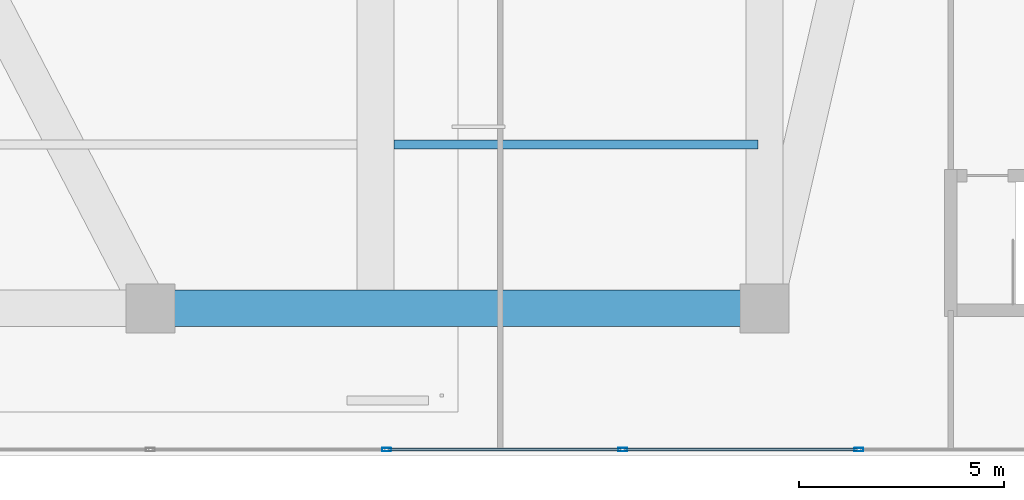
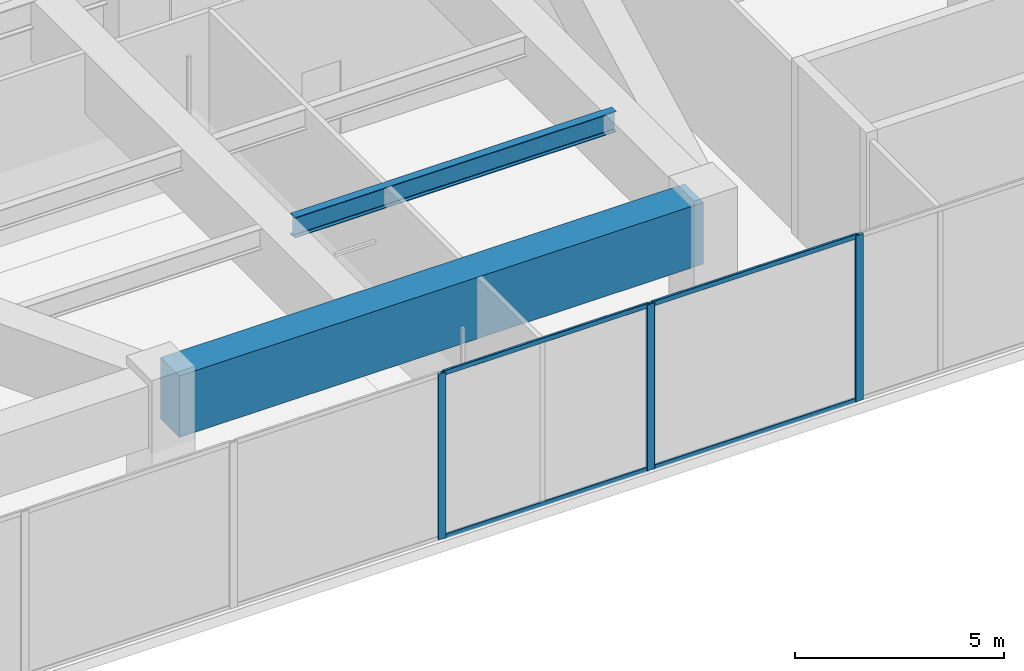
# One storey, part 6 of 21: 7 members, 2 beams, 1 element without a shape of its own.
"""IFC4 building model written with IfcOpenShell, lengths in metres."""

from ifc_helpers import new_model, si_unit, direction, frame, origin, origin_2d, place, context, subcontext, project, spatial, rectangle, hollow_rectangle, i_section, extrude, material, layer, layer_set, material_profile, profile_set, type_object, element, aggregate, save


model = new_model("IFC4")

# Units and contexts
model_context = context("Model", 3, precision=1e-05, world=origin(), true_north=direction((0.0, 1.0)))
body_context = subcontext(model_context, "Body", "Model", "MODEL_VIEW")
ifc_project = project(units=[si_unit("LENGTHUNIT", "METRE"), si_unit("AREAUNIT", "SQUARE_METRE"), si_unit("VOLUMEUNIT", "CUBIC_METRE"), si_unit("PLANEANGLEUNIT", "RADIAN"), si_unit("MASSUNIT", "GRAM", prefix="KILO")], contexts=[model_context])

# Site, building, storey
site_placement = place(None, origin())
site = spatial("IfcSite", under=ifc_project, at=site_placement, CompositionType="ELEMENT")
building_placement = place(site_placement, origin())
building = spatial("IfcBuilding", under=site, at=building_placement, Name="Tarnavaz Court Tower", CompositionType="ELEMENT")
storey_placement = place(building_placement, frame((0.0, 0.0, 18.89990234375)))
storey = spatial("IfcBuildingStorey", under=building, at=storey_placement, Name="L04", CompositionType="ELEMENT", Elevation=18.89990234375)

# Beams
ifc_material_1 = material(Name="Steel S355", Category="steel")
ifc_material_profile_1 = material_profile(ifc_material_1, i_section(OverallWidth=0.219970703125, OverallDepth=0.60009765625, WebThickness=0.011962890625, FlangeThickness=0.01904296875, FilletRadius=0.02392578125, at=origin_2d()), Name="IPE 600")
ifc_profile_set_1 = profile_set([ifc_material_profile_1], Name="Steel S355")
beam_type_1 = type_object("IfcBeamType", Name="BM-J-IPE600", PredefinedType="JOIST", material=ifc_profile_set_1)
beam_1_placement = place(storey_placement, frame((5.949951171875, -18.800048828125, 4.550048828125), z_axis=(1.0, 0.0, 0.0), x_axis=(0.0, 1.0, 0.0)))
element("IfcBeam", 1, at=beam_1_placement, inside=storey, type_object=beam_type_1, Name="L04 Beam PJS-2-3", PredefinedType="JOIST", context=body_context, shape_type="SweptSolid", body=[
    extrude(i_section(OverallWidth=0.219970703125, OverallDepth=0.60009765625, WebThickness=0.011962890625, FlangeThickness=0.01904296875, FilletRadius=0.02392578125, at=origin_2d()), origin(), (0.0, 0.0, 1.0), 8.900146484375),
])
ifc_material_2 = material(Name="Concrete C50/60", Category="concrete")
ifc_material_profile_2 = material_profile(ifc_material_2, rectangle(XDim=0.89990234375, YDim=1.800048828125, at=origin_2d()), Name="RC 900X1800")
ifc_profile_set_2 = profile_set([ifc_material_profile_2], Name="Concrete C50/60")
beam_type_2 = type_object("IfcBeamType", Name="BM-TG1800", PredefinedType="USERDEFINED", material=ifc_profile_set_2)
beam_2_placement = place(storey_placement, frame((0.25, -22.800048828125, 3.9501953125), z_axis=(1.0, 0.0, 0.0), x_axis=(0.0, 1.0, 0.0)))
element("IfcBeam", 2, at=beam_2_placement, inside=storey, type_object=beam_type_2, Name="L04 Beam PM-PM-S2-PM-S3", ObjectType="GIRDER", PredefinedType="USERDEFINED", context=body_context, shape_type="SweptSolid", body=[
    extrude(rectangle(XDim=0.89990234375, YDim=1.800048828125, at=origin_2d()), origin(), (0.0, 0.0, 1.0), 14.5),
])

# Curtain wall, members
ifc_material_3 = material(Name="Anodised Aluminium 6063-T6 and Solar Low-E Glazing", Category="aluminium")
ifc_layer = layer(ifc_material_3, 0.18994140625)
ifc_layer_set = layer_set([ifc_layer], Name="Anodised Aluminium 6063-T6 and Solar Low-E Glazing")
curtain_wall_type = type_object("IfcCurtainWallType", Name="CW-SYS-01", PredefinedType="NOTDEFINED", material=ifc_layer_set)
curtain_wall_placement = place(storey_placement, origin())
curtain_wall = element("IfcCurtainWall", 3, at=curtain_wall_placement, inside=storey, type_object=curtain_wall_type, Name="L04 Clinic South Curtain Wall 3", PredefinedType="NOTDEFINED")
ifc_material_4 = material(Name="Anodised Aluminium 6063-T6", Category="aluminium")
ifc_material_profile_3 = material_profile(ifc_material_4, hollow_rectangle(XDim=0.0849609375, YDim=0.219970703125, WallThickness=0.006103515625, InnerFilletRadius=0.006103515625, OuterFilletRadius=0.011962890625, at=origin_2d()), Name="ALU RHS 220X85X6")
ifc_profile_set_3 = profile_set([ifc_material_profile_3], Name="Anodised Aluminium 6063-T6")
member_type_1 = type_object("IfcMemberType", Name="CW-MUL-220", PredefinedType="MULLION", material=ifc_profile_set_3)
member_1_placement = place(storey_placement, frame((17.31005859375, -26.25, 0.0), z_axis=(0.0, 0.0, 1.0), x_axis=(0.0, -1.0, 0.0)))
member_1 = element("IfcMember", 4, at=member_1_placement, type_object=member_type_1, Name="CW mullion 3", PredefinedType="MULLION", context=body_context, shape_type="SweptSolid", body=[
    extrude(hollow_rectangle(XDim=0.0849609375, YDim=0.219970703125, WallThickness=0.006103515625, InnerFilletRadius=0.006103515625, OuterFilletRadius=0.011962890625, at=origin_2d()), origin(), (0.0, 0.0, 1.0), 4.85009765625),
])
member_2_placement = place(storey_placement, frame((11.5400390625, -26.25, 0.0), z_axis=(0.0, 0.0, 1.0), x_axis=(0.0, -1.0, 0.0)))
member_2 = element("IfcMember", 5, at=member_2_placement, type_object=member_type_1, Name="CW mullion 4", PredefinedType="MULLION", context=body_context, shape_type="SweptSolid", body=[
    extrude(hollow_rectangle(XDim=0.0849609375, YDim=0.219970703125, WallThickness=0.006103515625, InnerFilletRadius=0.006103515625, OuterFilletRadius=0.011962890625, at=origin_2d()), origin(), (0.0, 0.0, 1.0), 4.85009765625),
])
member_3_placement = place(storey_placement, frame((5.77001953125, -26.25, 0.0), z_axis=(0.0, 0.0, 1.0), x_axis=(0.0, -1.0, 0.0)))
member_3 = element("IfcMember", 6, at=member_3_placement, type_object=member_type_1, Name="CW mullion 5", PredefinedType="MULLION", context=body_context, shape_type="SweptSolid", body=[
    extrude(hollow_rectangle(XDim=0.0849609375, YDim=0.219970703125, WallThickness=0.006103515625, InnerFilletRadius=0.006103515625, OuterFilletRadius=0.011962890625, at=origin_2d()), origin(), (0.0, 0.0, 1.0), 4.85009765625),
])
ifc_material_profile_4 = material_profile(ifc_material_4, hollow_rectangle(XDim=0.06494140625, YDim=0.139892578125, WallThickness=0.00390625, InnerFilletRadius=0.00390625, OuterFilletRadius=0.008056640625, at=origin_2d()), Name="ALU RHS 140X65X4")
ifc_profile_set_4 = profile_set([ifc_material_profile_4], Name="Anodised Aluminium 6063-T6")
member_type_2 = type_object("IfcMemberType", Name="CW-TRN-140", PredefinedType="USERDEFINED", material=ifc_profile_set_4)
member_4_placement = place(storey_placement, frame((17.267578125, -26.25, 0.03271484375), z_axis=(-1.0, 0.0, 0.0), x_axis=(0.0, -1.0, 0.0)))
member_4 = element("IfcMember", 7, at=member_4_placement, type_object=member_type_2, Name="CW transom 3.1", ObjectType="TRANSOM", PredefinedType="USERDEFINED", context=body_context, shape_type="SweptSolid", body=[
    extrude(hollow_rectangle(XDim=0.06494140625, YDim=0.139892578125, WallThickness=0.00390625, InnerFilletRadius=0.00390625, OuterFilletRadius=0.008056640625, at=origin_2d()), origin(), (0.0, 0.0, 1.0), 5.68505859375),
])
member_5_placement = place(storey_placement, frame((17.267578125, -26.25, 4.817626953125), z_axis=(-1.0, 0.0, 0.0), x_axis=(0.0, -1.0, 0.0)))
member_5 = element("IfcMember", 8, at=member_5_placement, type_object=member_type_2, Name="CW transom 3.2", ObjectType="TRANSOM", PredefinedType="USERDEFINED", context=body_context, shape_type="SweptSolid", body=[
    extrude(hollow_rectangle(XDim=0.06494140625, YDim=0.139892578125, WallThickness=0.00390625, InnerFilletRadius=0.00390625, OuterFilletRadius=0.008056640625, at=origin_2d()), origin(), (0.0, 0.0, 1.0), 5.68505859375),
])
member_6_placement = place(storey_placement, frame((11.49755859375, -26.25, 0.03271484375), z_axis=(-1.0, 0.0, 0.0), x_axis=(0.0, -1.0, 0.0)))
member_6 = element("IfcMember", 9, at=member_6_placement, type_object=member_type_2, Name="CW transom 4.1", ObjectType="TRANSOM", PredefinedType="USERDEFINED", context=body_context, shape_type="SweptSolid", body=[
    extrude(hollow_rectangle(XDim=0.06494140625, YDim=0.139892578125, WallThickness=0.00390625, InnerFilletRadius=0.00390625, OuterFilletRadius=0.008056640625, at=origin_2d()), origin(), (0.0, 0.0, 1.0), 5.68505859375),
])
member_7_placement = place(storey_placement, frame((11.49755859375, -26.25, 4.817626953125), z_axis=(-1.0, 0.0, 0.0), x_axis=(0.0, -1.0, 0.0)))
member_7 = element("IfcMember", 10, at=member_7_placement, type_object=member_type_2, Name="CW transom 4.2", ObjectType="TRANSOM", PredefinedType="USERDEFINED", context=body_context, shape_type="SweptSolid", body=[
    extrude(hollow_rectangle(XDim=0.06494140625, YDim=0.139892578125, WallThickness=0.00390625, InnerFilletRadius=0.00390625, OuterFilletRadius=0.008056640625, at=origin_2d()), origin(), (0.0, 0.0, 1.0), 5.68505859375),
])
aggregate(curtain_wall, [member_1, member_2, member_3, member_4, member_5, member_6, member_7])

save(model, "model.ifc")
